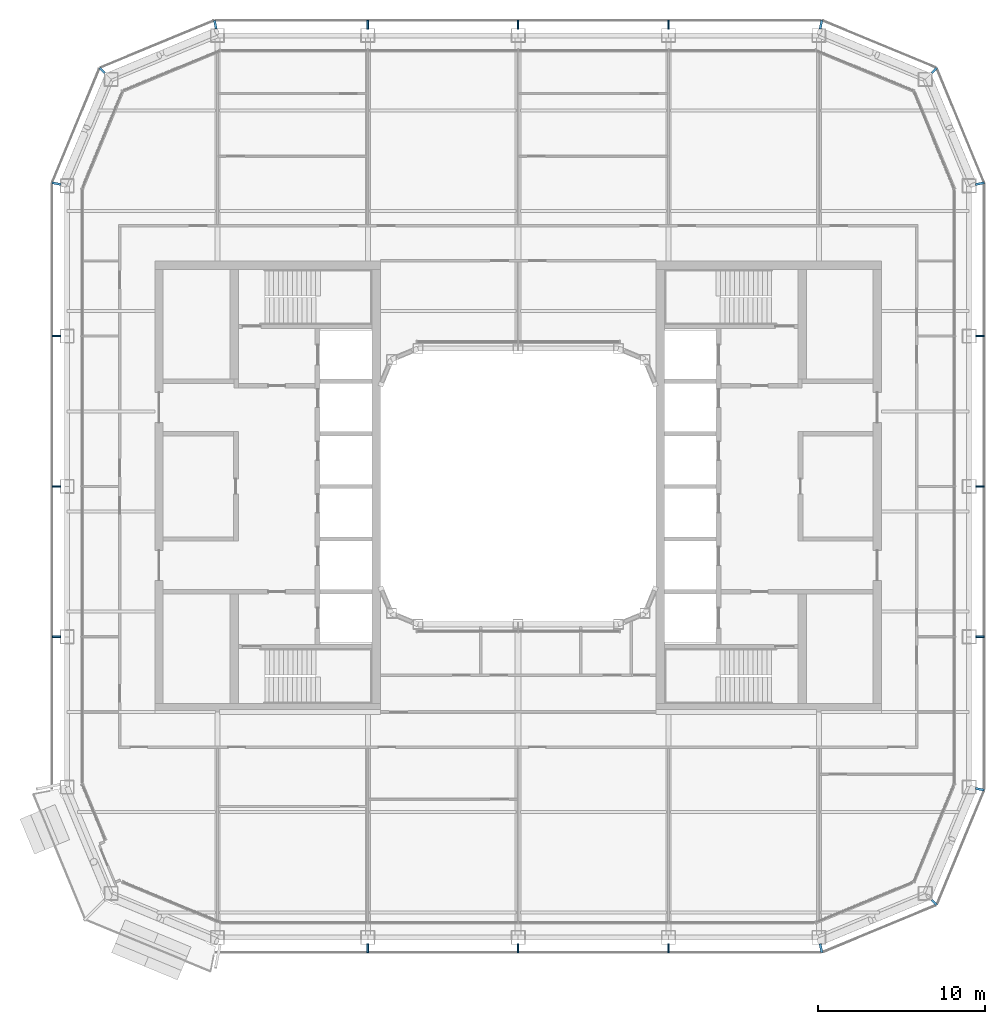
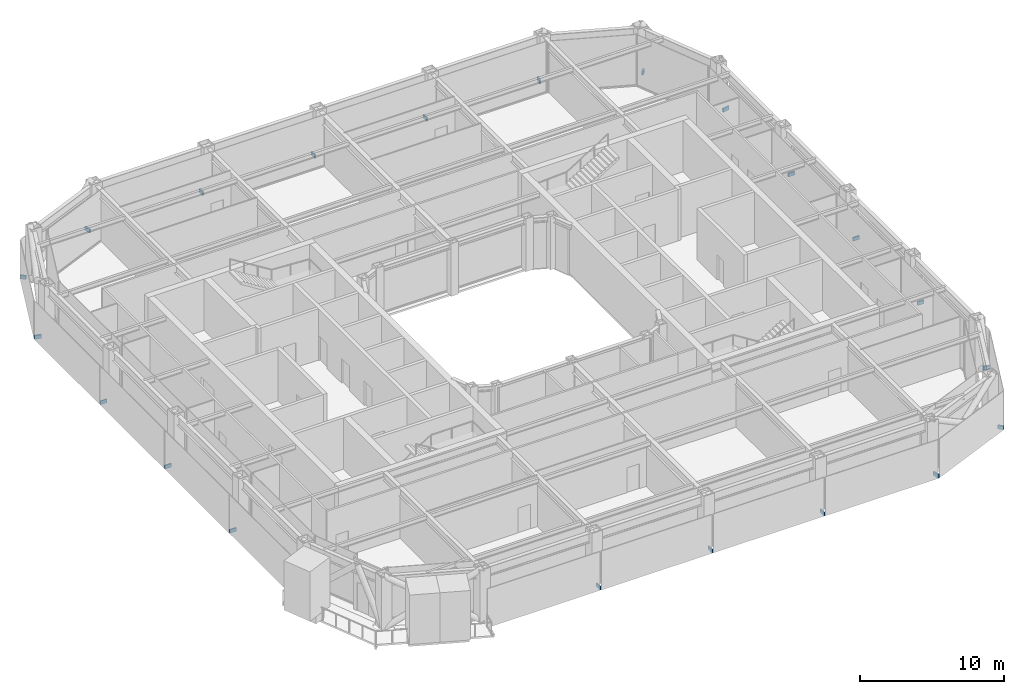
# One storey, part 18 of 23: 21 discrete accessories.
"""IFC4 building model written with IfcOpenShell, lengths in metres."""

from ifc_helpers import new_model, si_unit, direction, frame, origin, origin_2d, place, context, subcontext, project, spatial, rectangle, extrude, material, type_object, element, save


model = new_model("IFC4")

# Units and contexts
model_context = context("Model", 3, precision=1e-05, world=origin(), true_north=direction((0.0, 1.0)))
body_context = subcontext(model_context, "Body", "Model", "MODEL_VIEW")
ifc_project = project(units=[si_unit("LENGTHUNIT", "METRE"), si_unit("AREAUNIT", "SQUARE_METRE"), si_unit("VOLUMEUNIT", "CUBIC_METRE"), si_unit("PLANEANGLEUNIT", "RADIAN"), si_unit("MASSUNIT", "GRAM", prefix="KILO")], contexts=[model_context])

# Site, building, storey
site_placement = place(None, origin())
site = spatial("IfcSite", under=ifc_project, at=site_placement, CompositionType="ELEMENT")
building_placement = place(site_placement, origin())
building = spatial("IfcBuilding", under=site, at=building_placement, Name="Siwar Civic Tower", CompositionType="ELEMENT")
storey_placement = place(building_placement, frame((0.0, 0.0, 233.199951171875)))
storey = spatial("IfcBuildingStorey", under=building, at=storey_placement, Name="L50", CompositionType="ELEMENT", Elevation=233.199951171875)

# Discrete accessories
ifc_material = material(Name="Stainless steel 316", Category="steel")
discrete_accessory_type = type_object("IfcDiscreteAccessoryType", Name="ENV-BRACKET", PredefinedType="BRACKET", material=ifc_material)
for number, where, z_axis, x_axis, name in (
    (1, (27.639892578125, -9.0, -0.14990234375), (0.0, 0.0, 1.0), (1.0, 0.0, 0.0), "Bracket outer skin joint E-01"),
    (2, (27.639892578125, 0.0, -0.14990234375), (0.0, 0.0, 1.0), (1.0, 0.0, 0.0), "Bracket outer skin joint E-02"),
    (3, (27.639892578125, 9.0, -0.14990234375), (0.0, 0.0, 1.0), (1.0, 0.0, 0.0), "Bracket outer skin joint E-03"),
    (4, (9.0, 27.639892578125, -0.14990234375), (0.0, 0.0, 1.0), (0.0, 1.0, 0.0), "Bracket outer skin joint N-01"),
    (5, (0.0, 27.639892578125, -0.14990234375), (0.0, 0.0, 1.0), (0.0, 1.0, 0.0), "Bracket outer skin joint N-02"),
    (6, (-9.0, 27.639892578125, -0.14990234375), (0.0, 0.0, 1.0), (0.0, 1.0, 0.0), "Bracket outer skin joint N-03"),
    (7, (-9.0, -27.639892578125, -0.14990234375), (0.0, 0.0, 1.0), (0.0, -1.0, 0.0), "Bracket outer skin joint S-01"),
    (8, (0.0, -27.639892578125, -0.14990234375), (0.0, 0.0, 1.0), (0.0, -1.0, 0.0), "Bracket outer skin joint S-02"),
    (9, (9.0, -27.639892578125, -0.14990234375), (0.0, 0.0, 1.0), (0.0, -1.0, 0.0), "Bracket outer skin joint S-03"),
):
    element("IfcDiscreteAccessory", number, at=place(storey_placement, frame(where, z_axis=z_axis, x_axis=x_axis)), inside=storey, type_object=discrete_accessory_type, Name=name, PredefinedType="BRACKET", context=body_context, shape_type="SweptSolid", body=[
        extrude(rectangle(XDim=0.52001953125, YDim=0.10009765625, at=origin_2d()), origin(), (0.0, 0.0, 1.0), 0.300048828125),
    ])
discrete_accessory_1_placement = place(storey_placement, frame((18.12744140625, -27.64013671875, -0.14990234375), z_axis=(0.0, 0.0, 1.0), x_axis=(0.195090322016, -0.980785280403, 0.0)))
element("IfcDiscreteAccessory", 10, at=discrete_accessory_1_placement, inside=storey, type_object=discrete_accessory_type, Name="Bracket outer skin joint V01", PredefinedType="BRACKET", context=body_context, shape_type="SweptSolid", body=[
    extrude(rectangle(XDim=0.52978515625, YDim=0.13720703125, at=origin_2d()), origin(), (0.0, 0.0, 1.0), 0.300048828125),
])
discrete_accessory_2_placement = place(storey_placement, frame((24.9013671875, -24.9013671875, -0.14990234375), z_axis=(0.0, 0.0, 1.0), x_axis=(0.707106781187, -0.707106781187, 0.0)))
element("IfcDiscreteAccessory", 11, at=discrete_accessory_2_placement, inside=storey, type_object=discrete_accessory_type, Name="Bracket outer skin joint V02", PredefinedType="BRACKET", context=body_context, shape_type="SweptSolid", body=[
    extrude(rectangle(XDim=0.428466796875, YDim=0.12939453125, at=origin_2d()), origin(), (0.0, 0.0, 1.0), 0.300048828125),
])
for number, where, z_axis, x_axis, name in (
    (12, (27.64013671875, -18.12744140625, -0.14990234375), (0.0, 0.0, 1.0), (0.980785280403, -0.195090322016, 0.0), "Bracket outer skin joint V03"),
    (13, (27.64013671875, 18.12744140625, -0.14990234375), (0.0, 0.0, 1.0), (0.980785280403, 0.195090322016, 0.0), "Bracket outer skin joint V04"),
):
    element("IfcDiscreteAccessory", number, at=place(storey_placement, frame(where, z_axis=z_axis, x_axis=x_axis)), inside=storey, type_object=discrete_accessory_type, Name=name, PredefinedType="BRACKET", context=body_context, shape_type="SweptSolid", body=[
        extrude(rectangle(XDim=0.52978515625, YDim=0.13720703125, at=origin_2d()), origin(), (0.0, 0.0, 1.0), 0.300048828125),
    ])
discrete_accessory_3_placement = place(storey_placement, frame((24.9013671875, 24.9013671875, -0.14990234375), z_axis=(0.0, 0.0, 1.0), x_axis=(0.707106781187, 0.707106781187, 0.0)))
element("IfcDiscreteAccessory", 14, at=discrete_accessory_3_placement, inside=storey, type_object=discrete_accessory_type, Name="Bracket outer skin joint V05", PredefinedType="BRACKET", context=body_context, shape_type="SweptSolid", body=[
    extrude(rectangle(XDim=0.428466796875, YDim=0.12939453125, at=origin_2d()), origin(), (0.0, 0.0, 1.0), 0.300048828125),
])
for number, where, z_axis, x_axis, name in (
    (15, (18.12744140625, 27.64013671875, -0.14990234375), (0.0, 0.0, 1.0), (0.195090322016, 0.980785280403, 0.0), "Bracket outer skin joint V06"),
    (16, (-18.12744140625, 27.64013671875, -0.14990234375), (0.0, 0.0, 1.0), (-0.195090322016, 0.980785280403, 0.0), "Bracket outer skin joint V07"),
):
    element("IfcDiscreteAccessory", number, at=place(storey_placement, frame(where, z_axis=z_axis, x_axis=x_axis)), inside=storey, type_object=discrete_accessory_type, Name=name, PredefinedType="BRACKET", context=body_context, shape_type="SweptSolid", body=[
        extrude(rectangle(XDim=0.52978515625, YDim=0.13720703125, at=origin_2d()), origin(), (0.0, 0.0, 1.0), 0.300048828125),
    ])
discrete_accessory_4_placement = place(storey_placement, frame((-24.9013671875, 24.9013671875, -0.14990234375), z_axis=(0.0, 0.0, 1.0), x_axis=(-0.707106781187, 0.707106781187, 0.0)))
element("IfcDiscreteAccessory", 17, at=discrete_accessory_4_placement, inside=storey, type_object=discrete_accessory_type, Name="Bracket outer skin joint V08", PredefinedType="BRACKET", context=body_context, shape_type="SweptSolid", body=[
    extrude(rectangle(XDim=0.428466796875, YDim=0.12939453125, at=origin_2d()), origin(), (0.0, 0.0, 1.0), 0.300048828125),
])
discrete_accessory_5_placement = place(storey_placement, frame((-27.64013671875, 18.12744140625, -0.14990234375), z_axis=(0.0, 0.0, 1.0), x_axis=(-0.980785280403, 0.195090322016, 0.0)))
element("IfcDiscreteAccessory", 18, at=discrete_accessory_5_placement, inside=storey, type_object=discrete_accessory_type, Name="Bracket outer skin joint V09", PredefinedType="BRACKET", context=body_context, shape_type="SweptSolid", body=[
    extrude(rectangle(XDim=0.52978515625, YDim=0.13720703125, at=origin_2d()), origin(), (0.0, 0.0, 1.0), 0.300048828125),
])
for number, where, z_axis, x_axis, name in (
    (19, (-27.639892578125, 9.0, -0.14990234375), (0.0, 0.0, 1.0), (-1.0, 0.0, 0.0), "Bracket outer skin joint W-01"),
    (20, (-27.639892578125, 0.0, -0.14990234375), (0.0, 0.0, 1.0), (-1.0, 0.0, 0.0), "Bracket outer skin joint W-02"),
    (21, (-27.639892578125, -9.0, -0.14990234375), (0.0, 0.0, 1.0), (-1.0, 0.0, 0.0), "Bracket outer skin joint W-03"),
):
    element("IfcDiscreteAccessory", number, at=place(storey_placement, frame(where, z_axis=z_axis, x_axis=x_axis)), inside=storey, type_object=discrete_accessory_type, Name=name, PredefinedType="BRACKET", context=body_context, shape_type="SweptSolid", body=[
        extrude(rectangle(XDim=0.52001953125, YDim=0.10009765625, at=origin_2d()), origin(), (0.0, 0.0, 1.0), 0.300048828125),
    ])

save(model, "model.ifc")
